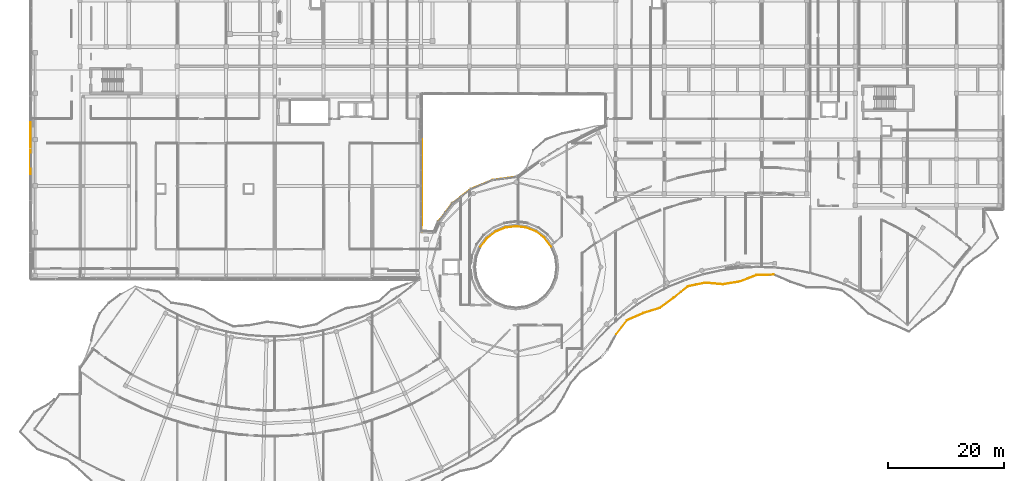
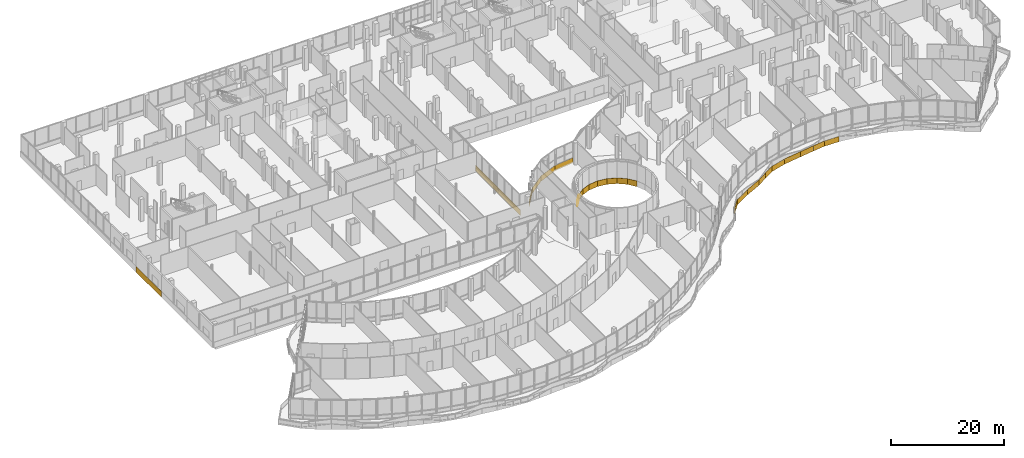
# One storey, part 148 of 155: 25 coverings.
"""IFC4 building model written with IfcOpenShell, lengths in metres."""

from ifc_helpers import new_model, si_unit, direction, frame, origin, origin_2d, place, context, subcontext, project, spatial, polyline, rectangle, outline, extrude, material, layer, layer_set, type_object, element, save


model = new_model("IFC4")

# Units and contexts
model_context = context("Model", 3, precision=1e-05, world=origin(), true_north=direction((0.0, 1.0)))
body_context = subcontext(model_context, "Body", "Model", "MODEL_VIEW")
ifc_project = project(units=[si_unit("LENGTHUNIT", "METRE"), si_unit("AREAUNIT", "SQUARE_METRE"), si_unit("VOLUMEUNIT", "CUBIC_METRE"), si_unit("PLANEANGLEUNIT", "RADIAN"), si_unit("MASSUNIT", "GRAM", prefix="KILO")], contexts=[model_context])

# Site, building, storey
site_placement = place(None, origin())
site = spatial("IfcSite", under=ifc_project, at=site_placement, CompositionType="ELEMENT")
building_placement = place(site_placement, origin())
building = spatial("IfcBuilding", under=site, at=building_placement, Name="Selatvlak General Hospital", CompositionType="ELEMENT")
storey_placement = place(building_placement, frame((0.0, 0.0, 10.199951171875)))
storey = spatial("IfcBuildingStorey", under=building, at=storey_placement, Name="L02", CompositionType="ELEMENT", Elevation=10.199951171875)

# Coverings
ifc_material_1 = material(Name="PVDF aluminium fascia - signal green", Category="aluminium")
ifc_layer_1 = layer(ifc_material_1, 0.070068359375, Name="PVDF aluminium fascia - signal green", Category="aluminium")
ifc_layer_set_1 = layer_set([ifc_layer_1], Name="PVDF aluminium fascia - signal green")
covering_type_1 = type_object("IfcCoveringType", Name="COV-RB-GRN", PredefinedType="CLADDING", material=ifc_layer_set_1)
covering_1_placement = place(storey_placement, frame((115.299072265625, 42.424072265625, -0.780029296875), z_axis=(0.0, 0.0, 1.0), x_axis=(0.614445050631, 0.788959618583, 0.0)))
element("IfcCovering", 1, at=covering_1_placement, inside=storey, type_object=covering_type_1, Name="L02 De Stijl waving fascia streamer 253", PredefinedType="CLADDING", context=body_context, shape_type="SweptSolid", body=[
    extrude(outline(polyline([(0.0, 0.0), (3.04833984375, -0.39794921875), (3.04833984375, 0.741943359375), (0.0, 1.139892578125), (0.0, 0.0)])), frame((0.0, 0.03515625, 0.0), z_axis=(0.0, -1.0, 0.0), x_axis=(1.0, 0.0, 0.0)), (0.0, 0.0, 1.0), 0.070068359375),
])
covering_2_placement = place(storey_placement, frame((117.173095703125, 44.830078125, -1.177978515625), z_axis=(0.0, 0.0, 1.0), x_axis=(0.916423738476, 0.400209359657, 0.0)))
element("IfcCovering", 2, at=covering_2_placement, inside=storey, type_object=covering_type_1, Name="L02 De Stijl waving fascia streamer 254", PredefinedType="CLADDING", context=body_context, shape_type="SweptSolid", body=[
    extrude(outline(polyline([(0.0, 0.0), (3.068359375, 0.47607421875), (3.068359375, 1.615966796875), (0.0, 1.139892578125), (0.0, 0.0)])), frame((0.0, 0.03515625, 0.0), z_axis=(0.0, -1.0, 0.0), x_axis=(1.0, 0.0, 0.0)), (0.0, 0.0, 1.0), 0.070068359375),
])
covering_3_placement = place(storey_placement, frame((119.986083984375, 46.05908203125, -0.701904296875), z_axis=(0.0, 0.0, 1.0), x_axis=(0.953630304043, 0.300980469816, 0.0)))
element("IfcCovering", 3, at=covering_3_placement, inside=storey, type_object=covering_type_1, Name="L02 De Stijl waving fascia streamer 255", PredefinedType="CLADDING", context=body_context, shape_type="SweptSolid", body=[
    extrude(outline(polyline([(0.0, 0.0), (3.02001953125, 0.514892578125), (3.02001953125, 1.65478515625), (0.0, 1.139892578125), (0.0, 0.0)])), frame((0.0, 0.03515625, 0.0), z_axis=(0.0, -1.0, 0.0), x_axis=(1.0, 0.0, 0.0)), (0.0, 0.0, 1.0), 0.070068359375),
])
covering_4_placement = place(storey_placement, frame((122.866943359375, 46.968017578125, -0.18701171875), z_axis=(0.0, 0.0, 1.0), x_axis=(0.801262335958, 0.598313186362, 0.0)))
element("IfcCovering", 4, at=covering_4_placement, inside=storey, type_object=covering_type_1, Name="L02 De Stijl waving fascia streamer 256", PredefinedType="CLADDING", context=body_context, shape_type="SweptSolid", body=[
    extrude(outline(polyline([(0.0, 0.0), (2.966552734375, -0.350830078125), (2.966552734375, 0.7890625), (0.0, 1.139892578125), (0.0, 0.0)])), frame((0.0, 0.03515625, 0.0), z_axis=(0.0, -1.0, 0.0), x_axis=(1.0, 0.0, 0.0)), (0.0, 0.0, 1.0), 0.070068359375),
])
covering_5_placement = place(storey_placement, frame((125.2451171875, 48.743896484375, -0.537841796875), z_axis=(0.0, 0.0, 1.0), x_axis=(0.783526753905, 0.621358049691, 0.0)))
element("IfcCovering", 5, at=covering_5_placement, inside=storey, type_object=covering_type_1, Name="L02 De Stijl waving fascia streamer 257", PredefinedType="CLADDING", context=body_context, shape_type="SweptSolid", body=[
    extrude(outline(polyline([(0.0, 0.0), (3.101318359375, -0.60009765625), (3.101318359375, 0.539794921875), (0.0, 1.139892578125), (0.0, 0.0)])), frame((0.0, 0.03515625, 0.0), z_axis=(0.0, -1.0, 0.0), x_axis=(1.0, 0.0, 0.0)), (0.0, 0.0, 1.0), 0.070068359375),
])
covering_6_placement = place(storey_placement, frame((127.677001953125, 50.6708984375, -1.137939453125), z_axis=(0.0, 0.0, 1.0), x_axis=(0.978597895378, 0.205781824179, 0.0)))
element("IfcCovering", 6, at=covering_6_placement, inside=storey, type_object=covering_type_1, Name="L02 De Stijl waving fascia streamer 258", PredefinedType="CLADDING", context=body_context, shape_type="SweptSolid", body=[
    extrude(outline(polyline([(0.0, 0.0), (3.013427734375, 0.202880859375), (3.013427734375, 1.3427734375), (0.0, 1.139892578125), (0.0, 0.0)])), frame((0.0, 0.03515625, 0.0), z_axis=(0.0, -1.0, 0.0), x_axis=(1.0, 0.0, 0.0)), (0.0, 0.0, 1.0), 0.070068359375),
])
covering_7_placement = place(storey_placement, frame((130.626953125, 51.2919921875, -0.93505859375), z_axis=(0.0, 0.0, 1.0), x_axis=(0.996333794489, -0.085550978713, 0.0)))
element("IfcCovering", 7, at=covering_7_placement, inside=storey, type_object=covering_type_1, Name="L02 De Stijl waving fascia streamer 259", PredefinedType="CLADDING", context=body_context, shape_type="SweptSolid", body=[
    extrude(outline(polyline([(0.0, 0.0), (3.09619140625, 0.651123046875), (3.09619140625, 1.791015625), (0.0, 1.139892578125), (0.0, 0.0)])), frame((0.0, 0.03515625, 0.0), z_axis=(0.0, -1.0, 0.0), x_axis=(1.0, 0.0, 0.0)), (0.0, 0.0, 1.0), 0.070068359375),
])
covering_8_placement = place(storey_placement, frame((133.712890625, 51.027099609375, -0.283935546875), z_axis=(0.0, 0.0, 1.0), x_axis=(0.987035662823, 0.160501091325, 0.0)))
element("IfcCovering", 8, at=covering_8_placement, inside=storey, type_object=covering_type_1, Name="L02 De Stijl waving fascia streamer 260", PredefinedType="CLADDING", context=body_context, shape_type="SweptSolid", body=[
    extrude(outline(polyline([(0.0, 0.0), (2.916015625, -0.044921875), (2.916015625, 1.094970703125), (0.0, 1.139892578125), (0.0, 0.0)])), frame((0.0, 0.03515625, 0.0), z_axis=(0.0, -1.0, 0.0), x_axis=(1.0, 0.0, 0.0)), (0.0, 0.0, 1.0), 0.070068359375),
])
covering_9_placement = place(storey_placement, frame((136.592041015625, 51.4951171875, -0.328857421875), z_axis=(0.0, 0.0, 1.0), x_axis=(0.93345913735, 0.358683758898, 0.0)))
element("IfcCovering", 9, at=covering_9_placement, inside=storey, type_object=covering_type_1, Name="L02 De Stijl waving fascia streamer 261", PredefinedType="CLADDING", context=body_context, shape_type="SweptSolid", body=[
    extrude(outline(polyline([(0.0, 0.0), (3.1025390625, -0.6611328125), (3.1025390625, 0.478759765625), (0.0, 1.139892578125), (0.0, 0.0)])), frame((0.0, 0.03515625, 0.0), z_axis=(0.0, -1.0, 0.0), x_axis=(1.0, 0.0, 0.0)), (0.0, 0.0, 1.0), 0.070068359375),
])
covering_10_placement = place(storey_placement, frame((139.489013671875, 52.60791015625, -0.989990234375), z_axis=(0.0, 0.0, 1.0), x_axis=(0.999589567167, 0.028647813364, 0.0)))
element("IfcCovering", 10, at=covering_10_placement, inside=storey, type_object=covering_type_1, Name="L02 De Stijl waving fascia streamer 262", PredefinedType="CLADDING", context=body_context, shape_type="SweptSolid", body=[
    extrude(outline(polyline([(0.0, 0.0), (3.00830078125, -0.116943359375), (3.00830078125, 1.02294921875), (0.0, 1.139892578125), (0.0, 0.0)])), frame((0.0, 0.03515625, 0.0), z_axis=(0.0, -1.0, 0.0), x_axis=(1.0, 0.0, 0.0)), (0.0, 0.0, 1.0), 0.070068359375),
])
ifc_material_2 = material(Name="White Bauhaus fair-faced cladding panel")
ifc_layer_2 = layer(ifc_material_2, 0.054931640625, Name="White Bauhaus fair-faced cladding panel")
ifc_layer_set_2 = layer_set([ifc_layer_2], Name="White Bauhaus fair-faced cladding panel")
covering_type_2 = type_object("IfcCoveringType", Name="COV-WHT1", PredefinedType="CLADDING", material=ifc_layer_set_2)
covering_11_placement = place(storey_placement, frame((14.235107421875, 74.4990234375, -0.27978515625), z_axis=(0.0, 0.0, 1.0), x_axis=(0.0, 1.0, 0.0)))
element("IfcCovering", 11, at=covering_11_placement, inside=storey, type_object=covering_type_2, Name="L02 Bauhaus horizontal white spandrel band 0136", PredefinedType="CLADDING", context=body_context, shape_type="SweptSolid", body=[
    extrude(rectangle(XDim=9.0, YDim=0.054931640625, at=origin_2d()), origin(), (0.0, 0.0, 1.0), 1.219970703125),
])
for number, where, z_axis, x_axis, name in (
    (12, (85.77587890625, 63.3779296875, -0.2998046875), (0.0, 0.0, 1.0), (0.608747582288, 0.793363965062, 0.0), "L02 Rotunda white Bauhaus spandrel ring 0180"),
    (13, (88.6201171875, 66.221923828125, -0.2998046875), (0.0, 0.0, 1.0), (0.793363965062, 0.608747582288, 0.0), "L02 Rotunda white Bauhaus spandrel ring 0181"),
    (14, (92.10302734375, 68.23291015625, -0.2998046875), (0.0, 0.0, 1.0), (0.923819409341, 0.382828550301, 0.0), "L02 Rotunda white Bauhaus spandrel ring 0182"),
):
    element("IfcCovering", number, at=place(storey_placement, frame(where, z_axis=z_axis, x_axis=x_axis)), inside=storey, type_object=covering_type_2, Name=name, PredefinedType="CLADDING", context=body_context, shape_type="SweptSolid", body=[
        extrude(rectangle(XDim=4.0458984375, YDim=0.054931640625, at=origin_2d()), origin(), (0.0, 0.0, 1.0), 1.14990234375),
    ])
covering_12_placement = place(storey_placement, frame((95.988037109375, 69.27490234375, -0.2998046875), z_axis=(0.0, 0.0, 1.0), x_axis=(0.991419783872, 0.130716533562, 0.0)))
element("IfcCovering", 15, at=covering_12_placement, inside=storey, type_object=covering_type_2, Name="L02 Rotunda white Bauhaus spandrel ring 0183", PredefinedType="CLADDING", context=body_context, shape_type="SweptSolid", body=[
    extrude(rectangle(XDim=4.047119140625, YDim=0.054931640625, at=origin_2d()), origin(), (0.0, 0.0, 1.0), 1.14990234375),
])
for number, where, z_axis, x_axis, name in (
    (16, (81.794921875, 72.030029296875, -0.27978515625), (0.0, 0.0, 1.0), (-0.002513271477, -0.999996841728, 0.0), "L02 Bauhaus horizontal white spandrel band 0190"),
    (17, (81.77490234375, 64.050048828125, -0.27978515625), (0.0, 0.0, 1.0), (-0.002513271477, -0.999996841728, 0.0), "L02 Bauhaus horizontal white spandrel band 0191"),
):
    element("IfcCovering", number, at=place(storey_placement, frame(where, z_axis=z_axis, x_axis=x_axis)), inside=storey, type_object=covering_type_2, Name=name, PredefinedType="CLADDING", context=body_context, shape_type="SweptSolid", body=[
        extrude(rectangle(XDim=7.97998046875, YDim=0.054931640625, at=origin_2d()), origin(), (0.0, 0.0, 1.0), 1.219970703125),
    ])
covering_13_placement = place(storey_placement, frame((100.675048828125, 60.43896484375, -0.27978515625), z_axis=(0.0, 0.0, 1.0), x_axis=(-0.923330901489, 0.384005268657, 0.0)))
element("IfcCovering", 18, at=covering_13_placement, inside=storey, type_object=covering_type_2, Name="L02 Bauhaus horizontal white spandrel band 0192", PredefinedType="CLADDING", context=body_context, shape_type="SweptSolid", body=[
    extrude(rectangle(XDim=1.8798828125, YDim=0.054931640625, at=origin_2d()), origin(), (0.0, 0.0, 1.0), 1.219970703125),
])
covering_14_placement = place(storey_placement, frame((98.9169921875, 60.912109375, -0.27978515625), z_axis=(0.0, 0.0, 1.0), x_axis=(-0.991316813579, 0.131495152443, 0.0)))
element("IfcCovering", 19, at=covering_14_placement, inside=storey, type_object=covering_type_2, Name="L02 Bauhaus horizontal white spandrel band 0193", PredefinedType="CLADDING", context=body_context, shape_type="SweptSolid", body=[
    extrude(rectangle(XDim=1.8779296875, YDim=0.054931640625, at=origin_2d()), origin(), (0.0, 0.0, 1.0), 1.219970703125),
])
covering_15_placement = place(storey_placement, frame((97.097900390625, 60.9140625, -0.27978515625), z_axis=(0.0, 0.0, 1.0), x_axis=(-0.991601332113, -0.129332123433, 0.0)))
element("IfcCovering", 20, at=covering_15_placement, inside=storey, type_object=covering_type_2, Name="L02 Bauhaus horizontal white spandrel band 0194", PredefinedType="CLADDING", context=body_context, shape_type="SweptSolid", body=[
    extrude(rectangle(XDim=1.87890625, YDim=0.054931640625, at=origin_2d()), origin(), (0.0, 0.0, 1.0), 1.219970703125),
])
covering_16_placement = place(storey_placement, frame((95.339111328125, 60.445068359375, -0.27978515625), z_axis=(0.0, 0.0, 1.0), x_axis=(-0.924239792771, -0.381812526586, 0.0)))
element("IfcCovering", 21, at=covering_16_placement, inside=storey, type_object=covering_type_2, Name="L02 Bauhaus horizontal white spandrel band 0195", PredefinedType="CLADDING", context=body_context, shape_type="SweptSolid", body=[
    extrude(rectangle(XDim=1.8798828125, YDim=0.054931640625, at=origin_2d()), origin(), (0.0, 0.0, 1.0), 1.219970703125),
])
for number, where, z_axis, x_axis, name in (
    (22, (93.760986328125, 59.535888671875, -0.27978515625), (0.0, 0.0, 1.0), (-0.79408588232, -0.607805570475, 0.0), "L02 Bauhaus horizontal white spandrel band 0196"),
    (23, (92.472900390625, 58.25, -0.27978515625), (0.0, 0.0, 1.0), (-0.609328984843, -0.792917516662, 0.0), "L02 Bauhaus horizontal white spandrel band 0197"),
    (24, (103.535888671875, 58.239013671875, -0.27978515625), (0.0, 0.0, 1.0), (-0.607805570475, 0.79408588232, 0.0), "L02 Bauhaus horizontal white spandrel band 0214"),
    (25, (102.25, 59.527099609375, -0.27978515625), (0.0, 0.0, 1.0), (-0.792917516662, 0.609328984843, 0.0), "L02 Bauhaus horizontal white spandrel band 0215"),
):
    element("IfcCovering", number, at=place(storey_placement, frame(where, z_axis=z_axis, x_axis=x_axis)), inside=storey, type_object=covering_type_2, Name=name, PredefinedType="CLADDING", context=body_context, shape_type="SweptSolid", body=[
        extrude(rectangle(XDim=1.87890625, YDim=0.054931640625, at=origin_2d()), origin(), (0.0, 0.0, 1.0), 1.219970703125),
    ])

save(model, "model.ifc")
